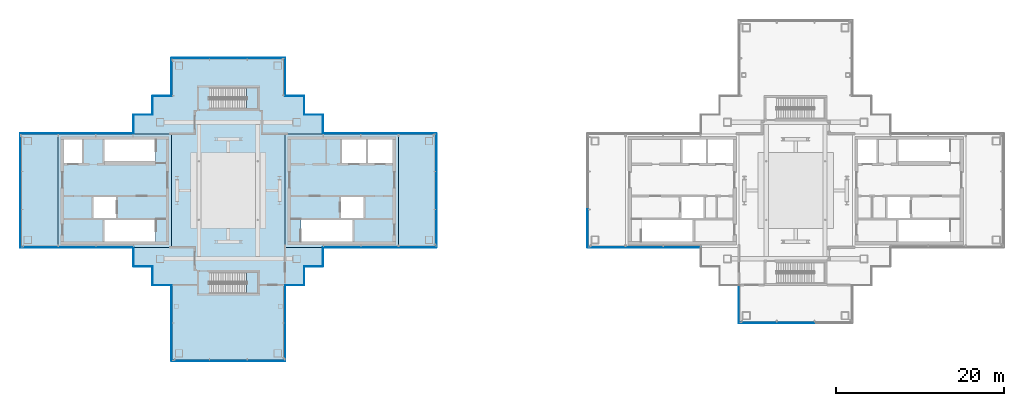
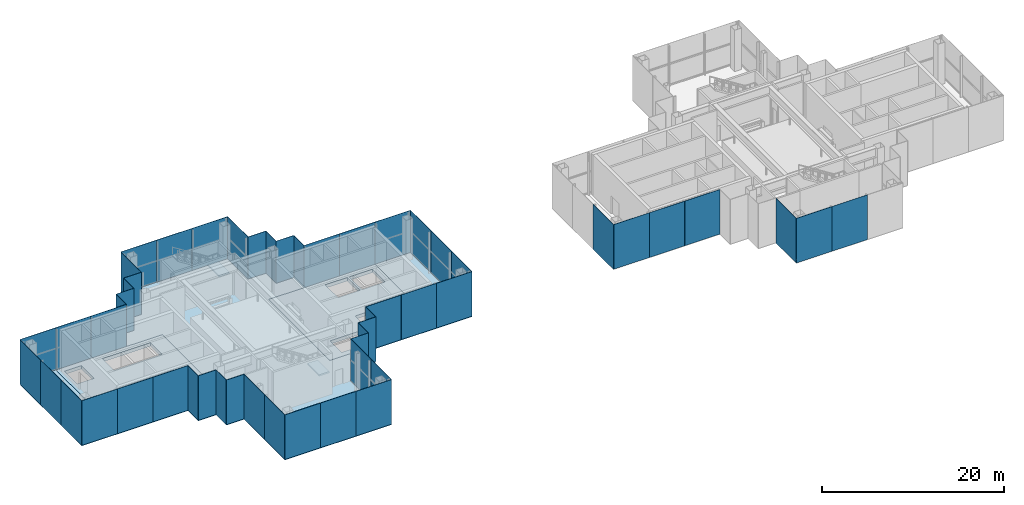
# One storey, part 7 of 17: 53 plates, 7 slabs, 27 elements without a shape of their own.
"""IFC4 building model written with IfcOpenShell, lengths in metres."""

from ifc_helpers import new_model, si_unit, direction, frame, origin, origin_2d, place, context, subcontext, project, spatial, polyline, rectangle, outline, extrude, material, layer, layer_set, type_object, element, aggregate, save


model = new_model("IFC4")

# Units and contexts
model_context = context("Model", 3, precision=1e-05, world=origin(), true_north=direction((0.0, 1.0)))
body_context = subcontext(model_context, "Body", "Model", "MODEL_VIEW")
ifc_project = project(units=[si_unit("LENGTHUNIT", "METRE"), si_unit("AREAUNIT", "SQUARE_METRE"), si_unit("VOLUMEUNIT", "CUBIC_METRE"), si_unit("PLANEANGLEUNIT", "RADIAN"), si_unit("MASSUNIT", "GRAM", prefix="KILO")], contexts=[model_context])

# Site, building, storey
site_placement = place(None, origin())
site = spatial("IfcSite", under=ifc_project, at=site_placement, CompositionType="ELEMENT")
building_placement = place(site_placement, origin())
building = spatial("IfcBuilding", under=site, at=building_placement, Name="Shamsa Quay Exchange Towers", CompositionType="ELEMENT")
storey_placement = place(building_placement, frame((0.0, 0.0, 278.300048828125)))
storey = spatial("IfcBuildingStorey", under=building, at=storey_placement, Name="L67", CompositionType="ELEMENT", Elevation=278.300048828125)

# Slabs
ifc_material_1 = material(Name="Concrete C50/60", Category="concrete")
ifc_layer_1 = layer(ifc_material_1, 0.449951171875)
ifc_layer_set_1 = layer_set([ifc_layer_1], Name="CORE FLOOR 450 C50/60")
slab_type_1 = type_object("IfcSlabType", Name="CORE FLOOR 450 C50/60", PredefinedType="FLOOR", material=ifc_layer_set_1)
slab_1_placement = place(storey_placement, frame((0.0, 0.0, -0.449951171875)))
element("IfcSlab", 1, at=slab_1_placement, inside=storey, type_object=slab_type_1, Name="Core floor T1A", PredefinedType="FLOOR", context=body_context, shape_type="SweptSolid", body=[
    extrude(outline(polyline([(-27.0, -6.75), (-13.5, -6.75), (-13.5, 6.75), (-27.0, 6.75), (-27.0, -6.75)]), holes=[polyline([(-25.099365234375, -6.050048828125), (-25.099365234375, -3.5), (-19.0, -3.5), (-19.0, -6.050048828125), (-25.099365234375, -6.050048828125)]), polyline([(-20.199951171875, 3.25), (-20.199951171875, 6.050048828125), (-17.39990234375, 6.050048828125), (-17.39990234375, 3.25), (-20.199951171875, 3.25)]), polyline([(-17.14990234375, 3.25), (-17.14990234375, 6.050048828125), (-14.199951171875, 6.050048828125), (-14.199951171875, 3.25), (-17.14990234375, 3.25)]), polyline([(-20.35009765625, -3.25), (-20.35009765625, -0.75), (-17.699951171875, -0.75), (-17.699951171875, -3.25), (-20.35009765625, -3.25)])]), origin(), (0.0, 0.0, 1.0), 0.449951171875),
])
slab_2_placement = place(storey_placement, frame((0.0, 0.0, -0.449951171875)))
element("IfcSlab", 2, at=slab_2_placement, inside=storey, type_object=slab_type_1, Name="Core floor T1B", PredefinedType="FLOOR", context=body_context, shape_type="SweptSolid", body=[
    extrude(outline(polyline([(-40.5, -6.75), (-40.5, 6.75), (-54.0, 6.75), (-54.0, -6.75), (-40.5, -6.75)]), holes=[polyline([(-42.400634765625, -3.5), (-42.400634765625, -6.050048828125), (-48.5, -6.050048828125), (-48.5, -3.5), (-42.400634765625, -3.5)]), polyline([(-42.400634765625, 6.050048828125), (-42.400634765625, 3.5), (-48.5, 3.5), (-48.5, 6.050048828125), (-42.400634765625, 6.050048828125)]), polyline([(-51.14990234375, 3.25), (-53.300048828125, 3.25), (-53.300048828125, 6.050048828125), (-51.14990234375, 6.050048828125), (-51.14990234375, 3.25)]), polyline([(-47.14990234375, -3.25), (-49.800048828125, -3.25), (-49.800048828125, -0.75), (-47.14990234375, -0.75), (-47.14990234375, -3.25)])]), origin(), (0.0, 0.0, 1.0), 0.449951171875),
])

# Stair, slab
ifc_material_2 = material(Name="Concrete C40/50", Category="concrete")
stair_type = type_object("IfcStairType", Name="EXIT STAIR 34 RISERS 176 MM", PredefinedType="HALF_TURN_STAIR", material=ifc_material_2)
stair_1_placement = place(storey_placement, origin())
stair_1 = element("IfcStair", 3, at=stair_1_placement, inside=storey, type_object=stair_type, Name="L67 Roof access stair RS1", PredefinedType="HALF_TURN_STAIR")
ifc_layer_2 = layer(ifc_material_2, 0.199951171875)
ifc_layer_set_2 = layer_set([ifc_layer_2], Name="CORE STAIR LANDING")
slab_type_2 = type_object("IfcSlabType", Name="CORE STAIR LANDING", PredefinedType="LANDING", material=ifc_layer_set_2)
slab_3_placement = place(storey_placement, frame((0.0, 0.0, 2.800048828125)))
slab_3 = element("IfcSlab", 4, at=slab_3_placement, type_object=slab_type_2, Name="RS1 landing 1", PredefinedType="LANDING", context=body_context, shape_type="SweptSolid", body=[
    extrude(outline(polyline([(-31.570068359375, 9.699951171875), (-30.25, 9.699951171875), (-30.25, 12.25), (-31.570068359375, 12.25), (-31.570068359375, 9.699951171875)])), origin(), (0.0, 0.0, 1.0), 0.199951171875),
])
aggregate(stair_1, [slab_3])

stair_2_placement = place(storey_placement, origin())
stair_2 = element("IfcStair", 5, at=stair_2_placement, inside=storey, type_object=stair_type, Name="L67 Roof access stair RS2", PredefinedType="HALF_TURN_STAIR")
slab_4_placement = place(storey_placement, frame((0.0, 0.0, 2.800048828125)))
slab_4 = element("IfcSlab", 6, at=slab_4_placement, type_object=slab_type_2, Name="RS2 landing 1", PredefinedType="LANDING", context=body_context, shape_type="SweptSolid", body=[
    extrude(outline(polyline([(-31.570068359375, -12.25), (-30.25, -12.25), (-30.25, -9.699951171875), (-31.570068359375, -9.699951171875), (-31.570068359375, -12.25)])), origin(), (0.0, 0.0, 1.0), 0.199951171875),
])
aggregate(stair_2, [slab_4])

# Curtain wall, plates
ifc_material_3 = material(Name="Aluminium EN AW-6063 T6, black anodised", Category="aluminium")
ifc_layer_3 = layer(ifc_material_3, 0.364013671875)
ifc_layer_set_3 = layer_set([ifc_layer_3], Name="CW-5 LANTERN GLAZING")
curtain_wall_type = type_object("IfcCurtainWallType", Name="CW-5 LANTERN GLAZING", PredefinedType="NOTDEFINED", material=ifc_layer_set_3)
curtain_wall_1_placement = place(storey_placement, origin())
curtain_wall_1 = element("IfcCurtainWall", 7, at=curtain_wall_1_placement, inside=storey, type_object=curtain_wall_type, Name="CW5 T1-FLK-V-W L67", PredefinedType="NOTDEFINED")
ifc_material_4 = material(Name="Glass, laminated, clear low iron", Category="glass")
ifc_layer_4 = layer(ifc_material_4, 0.0439453125)
ifc_layer_set_4 = layer_set([ifc_layer_4], Name="CW-5 LANTERN GLASS 44")
plate_type = type_object("IfcPlateType", Name="CW-5 LANTERN GLASS 44", PredefinedType="CURTAIN_PANEL", material=ifc_layer_set_4)
plate_1_placement = place(storey_placement, frame((-40.52197265625, -13.531982421875, -0.35009765625), z_axis=(0.0, 0.0, 1.0), x_axis=(0.0, -1.0, 0.0)))
plate_1 = element("IfcPlate", 8, at=plate_1_placement, type_object=plate_type, Name="CW5 glass panel", PredefinedType="CURTAIN_PANEL", context=body_context, shape_type="SweptSolid", body=[
    extrude(rectangle(XDim=4.471923828125, YDim=0.0439453125, at=origin_2d()), origin(), (0.0, 0.0, 1.0), 6.0),
])
plate_2_placement = place(storey_placement, frame((-40.52197265625, -18.013916015625, -0.35009765625), z_axis=(0.0, 0.0, 1.0), x_axis=(0.0, -1.0, 0.0)))
plate_2 = element("IfcPlate", 9, at=plate_2_placement, type_object=plate_type, Name="CW5 glass panel", PredefinedType="CURTAIN_PANEL", context=body_context, shape_type="SweptSolid", body=[
    extrude(rectangle(XDim=4.471923828125, YDim=0.0439453125, at=origin_2d()), origin(), (0.0, 0.0, 1.0), 6.0),
])
aggregate(curtain_wall_1, [plate_1, plate_2])

curtain_wall_2_placement = place(storey_placement, origin())
curtain_wall_2 = element("IfcCurtainWall", 10, at=curtain_wall_2_placement, inside=storey, type_object=curtain_wall_type, Name="CW5 T1-END-V- L67", PredefinedType="NOTDEFINED")
plate_3_placement = place(storey_placement, frame((-38.25244140625, -20.27197265625, -0.35009765625)))
plate_3 = element("IfcPlate", 11, at=plate_3_placement, type_object=plate_type, Name="CW5 glass panel", PredefinedType="CURTAIN_PANEL", context=body_context, shape_type="SweptSolid", body=[
    extrude(rectangle(XDim=4.4951171875, YDim=0.0439453125, at=origin_2d()), origin(), (0.0, 0.0, 1.0), 6.0),
])
plate_4_placement = place(storey_placement, frame((-33.75, -20.27197265625, -0.35009765625)))
plate_4 = element("IfcPlate", 12, at=plate_4_placement, type_object=plate_type, Name="CW5 glass panel", PredefinedType="CURTAIN_PANEL", context=body_context, shape_type="SweptSolid", body=[
    extrude(rectangle(XDim=4.489990234375, YDim=0.0439453125, at=origin_2d()), origin(), (0.0, 0.0, 1.0), 6.0),
])
plate_5_placement = place(storey_placement, frame((-29.24755859375, -20.27197265625, -0.35009765625)))
plate_5 = element("IfcPlate", 13, at=plate_5_placement, type_object=plate_type, Name="CW5 glass panel", PredefinedType="CURTAIN_PANEL", context=body_context, shape_type="SweptSolid", body=[
    extrude(rectangle(XDim=4.4951171875, YDim=0.0439453125, at=origin_2d()), origin(), (0.0, 0.0, 1.0), 6.0),
])
aggregate(curtain_wall_2, [plate_3, plate_4, plate_5])

curtain_wall_3_placement = place(storey_placement, origin())
curtain_wall_3 = element("IfcCurtainWall", 14, at=curtain_wall_3_placement, inside=storey, type_object=curtain_wall_type, Name="CW5 T1-FLK-V-E L67", PredefinedType="NOTDEFINED")
plate_6_placement = place(storey_placement, frame((-26.97802734375, -18.00244140625, -0.35009765625), z_axis=(0.0, 0.0, 1.0), x_axis=(0.0, 1.0, 0.0)))
plate_6 = element("IfcPlate", 15, at=plate_6_placement, type_object=plate_type, Name="CW5 glass panel", PredefinedType="CURTAIN_PANEL", context=body_context, shape_type="SweptSolid", body=[
    extrude(rectangle(XDim=4.4951171875, YDim=0.0439453125, at=origin_2d()), origin(), (0.0, 0.0, 1.0), 6.0),
])
plate_7_placement = place(storey_placement, frame((-26.97802734375, -13.49755859375, -0.35009765625), z_axis=(0.0, 0.0, 1.0), x_axis=(0.0, 1.0, 0.0)))
plate_7 = element("IfcPlate", 16, at=plate_7_placement, type_object=plate_type, Name="CW5 glass panel", PredefinedType="CURTAIN_PANEL", context=body_context, shape_type="SweptSolid", body=[
    extrude(rectangle(XDim=4.4951171875, YDim=0.0439453125, at=origin_2d()), origin(), (0.0, 0.0, 1.0), 6.0),
])
aggregate(curtain_wall_3, [plate_6, plate_7])

curtain_wall_4_placement = place(storey_placement, origin())
curtain_wall_4 = element("IfcCurtainWall", 17, at=curtain_wall_4_placement, inside=storey, type_object=curtain_wall_type, Name="CW5 T1-FLK-U+S L67", PredefinedType="NOTDEFINED")
plate_8_placement = place(storey_placement, frame((-20.218017578125, -6.77197265625, -0.35009765625)))
plate_8 = element("IfcPlate", 18, at=plate_8_placement, type_object=plate_type, Name="CW5 glass panel", PredefinedType="CURTAIN_PANEL", context=body_context, shape_type="SweptSolid", body=[
    extrude(rectangle(XDim=4.471923828125, YDim=0.0439453125, at=origin_2d()), origin(), (0.0, 0.0, 1.0), 6.0),
])
plate_9_placement = place(storey_placement, frame((-15.736083984375, -6.77197265625, -0.35009765625)))
plate_9 = element("IfcPlate", 19, at=plate_9_placement, type_object=plate_type, Name="CW5 glass panel", PredefinedType="CURTAIN_PANEL", context=body_context, shape_type="SweptSolid", body=[
    extrude(rectangle(XDim=4.471923828125, YDim=0.0439453125, at=origin_2d()), origin(), (0.0, 0.0, 1.0), 6.0),
])
aggregate(curtain_wall_4, [plate_8, plate_9])

# Curtain wall, plate
curtain_wall_5_placement = place(storey_placement, origin())
curtain_wall_5 = element("IfcCurtainWall", 20, at=curtain_wall_5_placement, inside=storey, type_object=curtain_wall_type, Name="CW5 T1-FLK-U+S L67", PredefinedType="NOTDEFINED")
plate_10_placement = place(storey_placement, frame((-11.25, -6.77197265625, -0.35009765625)))
plate_10 = element("IfcPlate", 21, at=plate_10_placement, type_object=plate_type, Name="CW5 glass panel", PredefinedType="CURTAIN_PANEL", context=body_context, shape_type="SweptSolid", body=[
    extrude(rectangle(XDim=4.5, YDim=0.0439453125, at=origin_2d()), origin(), (0.0, 0.0, 1.0), 6.0),
])
aggregate(curtain_wall_5, [plate_10])

# Curtain wall, plates
curtain_wall_6_placement = place(storey_placement, origin())
curtain_wall_6 = element("IfcCurtainWall", 22, at=curtain_wall_6_placement, inside=storey, type_object=curtain_wall_type, Name="CW5 T1-END-U+ L67", PredefinedType="NOTDEFINED")
plate_11_placement = place(storey_placement, frame((-8.97802734375, -4.50244140625, -0.35009765625), z_axis=(0.0, 0.0, 1.0), x_axis=(0.0, 1.0, 0.0)))
plate_11 = element("IfcPlate", 23, at=plate_11_placement, type_object=plate_type, Name="CW5 glass panel", PredefinedType="CURTAIN_PANEL", context=body_context, shape_type="SweptSolid", body=[
    extrude(rectangle(XDim=4.4951171875, YDim=0.0439453125, at=origin_2d()), origin(), (0.0, 0.0, 1.0), 6.0),
])
plate_12_placement = place(storey_placement, frame((-8.97802734375, 0.0, -0.35009765625), z_axis=(0.0, 0.0, 1.0), x_axis=(0.0, 1.0, 0.0)))
plate_12 = element("IfcPlate", 24, at=plate_12_placement, type_object=plate_type, Name="CW5 glass panel", PredefinedType="CURTAIN_PANEL", context=body_context, shape_type="SweptSolid", body=[
    extrude(rectangle(XDim=4.489990234375, YDim=0.0439453125, at=origin_2d()), origin(), (0.0, 0.0, 1.0), 6.0),
])
plate_13_placement = place(storey_placement, frame((-8.97802734375, 4.50244140625, -0.35009765625), z_axis=(0.0, 0.0, 1.0), x_axis=(0.0, 1.0, 0.0)))
plate_13 = element("IfcPlate", 25, at=plate_13_placement, type_object=plate_type, Name="CW5 glass panel", PredefinedType="CURTAIN_PANEL", context=body_context, shape_type="SweptSolid", body=[
    extrude(rectangle(XDim=4.4951171875, YDim=0.0439453125, at=origin_2d()), origin(), (0.0, 0.0, 1.0), 6.0),
])
aggregate(curtain_wall_6, [plate_11, plate_12, plate_13])

# Curtain wall, plate
curtain_wall_7_placement = place(storey_placement, origin())
curtain_wall_7 = element("IfcCurtainWall", 26, at=curtain_wall_7_placement, inside=storey, type_object=curtain_wall_type, Name="CW5 T1-FLK-U+N L67", PredefinedType="NOTDEFINED")
plate_14_placement = place(storey_placement, frame((-11.25, 6.77197265625, -0.35009765625), z_axis=(0.0, 0.0, 1.0), x_axis=(-1.0, 0.0, 0.0)))
plate_14 = element("IfcPlate", 27, at=plate_14_placement, type_object=plate_type, Name="CW5 glass panel", PredefinedType="CURTAIN_PANEL", context=body_context, shape_type="SweptSolid", body=[
    extrude(rectangle(XDim=4.5, YDim=0.0439453125, at=origin_2d()), origin(), (0.0, 0.0, 1.0), 6.0),
])
aggregate(curtain_wall_7, [plate_14])

# Curtain wall, plates
curtain_wall_8_placement = place(storey_placement, origin())
curtain_wall_8 = element("IfcCurtainWall", 28, at=curtain_wall_8_placement, inside=storey, type_object=curtain_wall_type, Name="CW5 T1-FLK-U+N L67", PredefinedType="NOTDEFINED")
plate_15_placement = place(storey_placement, frame((-15.74755859375, 6.77197265625, -0.35009765625), z_axis=(0.0, 0.0, 1.0), x_axis=(-1.0, 0.0, 0.0)))
plate_15 = element("IfcPlate", 29, at=plate_15_placement, type_object=plate_type, Name="CW5 glass panel", PredefinedType="CURTAIN_PANEL", context=body_context, shape_type="SweptSolid", body=[
    extrude(rectangle(XDim=4.4951171875, YDim=0.0439453125, at=origin_2d()), origin(), (0.0, 0.0, 1.0), 6.0),
])
plate_16_placement = place(storey_placement, frame((-20.25244140625, 6.77197265625, -0.35009765625), z_axis=(0.0, 0.0, 1.0), x_axis=(-1.0, 0.0, 0.0)))
plate_16 = element("IfcPlate", 30, at=plate_16_placement, type_object=plate_type, Name="CW5 glass panel", PredefinedType="CURTAIN_PANEL", context=body_context, shape_type="SweptSolid", body=[
    extrude(rectangle(XDim=4.4951171875, YDim=0.0439453125, at=origin_2d()), origin(), (0.0, 0.0, 1.0), 6.0),
])
aggregate(curtain_wall_8, [plate_15, plate_16])

# Curtain wall, plate
curtain_wall_9_placement = place(storey_placement, origin())
curtain_wall_9 = element("IfcCurtainWall", 31, at=curtain_wall_9_placement, inside=storey, type_object=curtain_wall_type, Name="CW5 T1-FLK-V+E L67", PredefinedType="NOTDEFINED")
plate_17_placement = place(storey_placement, frame((-26.97802734375, 13.52294921875, -0.35009765625), z_axis=(0.0, 0.0, 1.0), x_axis=(0.0, 1.0, 0.0)))
plate_17 = element("IfcPlate", 32, at=plate_17_placement, type_object=plate_type, Name="CW5 glass panel", PredefinedType="CURTAIN_PANEL", context=body_context, shape_type="SweptSolid", body=[
    extrude(rectangle(XDim=4.4541015625, YDim=0.0439453125, at=origin_2d()), origin(), (0.0, 0.0, 1.0), 6.0),
])
aggregate(curtain_wall_9, [plate_17])

# Curtain wall, plates
curtain_wall_10_placement = place(storey_placement, origin())
curtain_wall_10 = element("IfcCurtainWall", 33, at=curtain_wall_10_placement, inside=storey, type_object=curtain_wall_type, Name="CW5 T1-END-V+ L67", PredefinedType="NOTDEFINED")
plate_18_placement = place(storey_placement, frame((-29.24755859375, 15.77197265625, -0.35009765625), z_axis=(0.0, 0.0, 1.0), x_axis=(-1.0, 0.0, 0.0)))
plate_18 = element("IfcPlate", 34, at=plate_18_placement, type_object=plate_type, Name="CW5 glass panel", PredefinedType="CURTAIN_PANEL", context=body_context, shape_type="SweptSolid", body=[
    extrude(rectangle(XDim=4.4951171875, YDim=0.0439453125, at=origin_2d()), origin(), (0.0, 0.0, 1.0), 6.0),
])
plate_19_placement = place(storey_placement, frame((-33.75, 15.77197265625, -0.35009765625), z_axis=(0.0, 0.0, 1.0), x_axis=(-1.0, 0.0, 0.0)))
plate_19 = element("IfcPlate", 35, at=plate_19_placement, type_object=plate_type, Name="CW5 glass panel", PredefinedType="CURTAIN_PANEL", context=body_context, shape_type="SweptSolid", body=[
    extrude(rectangle(XDim=4.489990234375, YDim=0.0439453125, at=origin_2d()), origin(), (0.0, 0.0, 1.0), 6.0),
])
plate_20_placement = place(storey_placement, frame((-38.25244140625, 15.77197265625, -0.35009765625), z_axis=(0.0, 0.0, 1.0), x_axis=(-1.0, 0.0, 0.0)))
plate_20 = element("IfcPlate", 36, at=plate_20_placement, type_object=plate_type, Name="CW5 glass panel", PredefinedType="CURTAIN_PANEL", context=body_context, shape_type="SweptSolid", body=[
    extrude(rectangle(XDim=4.4951171875, YDim=0.0439453125, at=origin_2d()), origin(), (0.0, 0.0, 1.0), 6.0),
])
aggregate(curtain_wall_10, [plate_18, plate_19, plate_20])

# Curtain wall, plate
curtain_wall_11_placement = place(storey_placement, origin())
curtain_wall_11 = element("IfcCurtainWall", 37, at=curtain_wall_11_placement, inside=storey, type_object=curtain_wall_type, Name="CW5 T1-FLK-V+W L67", PredefinedType="NOTDEFINED")
plate_21_placement = place(storey_placement, frame((-40.52197265625, 13.5, -0.35009765625), z_axis=(0.0, 0.0, 1.0), x_axis=(0.0, -1.0, 0.0)))
plate_21 = element("IfcPlate", 38, at=plate_21_placement, type_object=plate_type, Name="CW5 glass panel", PredefinedType="CURTAIN_PANEL", context=body_context, shape_type="SweptSolid", body=[
    extrude(rectangle(XDim=4.5, YDim=0.0439453125, at=origin_2d()), origin(), (0.0, 0.0, 1.0), 6.0),
])
aggregate(curtain_wall_11, [plate_21])

# Curtain wall, plates
curtain_wall_12_placement = place(storey_placement, origin())
curtain_wall_12 = element("IfcCurtainWall", 39, at=curtain_wall_12_placement, inside=storey, type_object=curtain_wall_type, Name="CW5 T1-FLK-U-N L67", PredefinedType="NOTDEFINED")
plate_22_placement = place(storey_placement, frame((-47.281982421875, 6.77197265625, -0.35009765625), z_axis=(0.0, 0.0, 1.0), x_axis=(-1.0, 0.0, 0.0)))
plate_22 = element("IfcPlate", 40, at=plate_22_placement, type_object=plate_type, Name="CW5 glass panel", PredefinedType="CURTAIN_PANEL", context=body_context, shape_type="SweptSolid", body=[
    extrude(rectangle(XDim=4.471923828125, YDim=0.0439453125, at=origin_2d()), origin(), (0.0, 0.0, 1.0), 6.0),
])
plate_23_placement = place(storey_placement, frame((-51.763916015625, 6.77197265625, -0.35009765625), z_axis=(0.0, 0.0, 1.0), x_axis=(-1.0, 0.0, 0.0)))
plate_23 = element("IfcPlate", 41, at=plate_23_placement, type_object=plate_type, Name="CW5 glass panel", PredefinedType="CURTAIN_PANEL", context=body_context, shape_type="SweptSolid", body=[
    extrude(rectangle(XDim=4.471923828125, YDim=0.0439453125, at=origin_2d()), origin(), (0.0, 0.0, 1.0), 6.0),
])
aggregate(curtain_wall_12, [plate_22, plate_23])

# Curtain wall, plate
curtain_wall_13_placement = place(storey_placement, origin())
curtain_wall_13 = element("IfcCurtainWall", 42, at=curtain_wall_13_placement, inside=storey, type_object=curtain_wall_type, Name="CW5 T1-FLK-U-N L67", PredefinedType="NOTDEFINED")
plate_24_placement = place(storey_placement, frame((-56.25, 6.77197265625, -0.35009765625), z_axis=(0.0, 0.0, 1.0), x_axis=(-1.0, 0.0, 0.0)))
plate_24 = element("IfcPlate", 43, at=plate_24_placement, type_object=plate_type, Name="CW5 glass panel", PredefinedType="CURTAIN_PANEL", context=body_context, shape_type="SweptSolid", body=[
    extrude(rectangle(XDim=4.5, YDim=0.0439453125, at=origin_2d()), origin(), (0.0, 0.0, 1.0), 6.0),
])
aggregate(curtain_wall_13, [plate_24])

# Curtain wall, plates
curtain_wall_14_placement = place(storey_placement, origin())
curtain_wall_14 = element("IfcCurtainWall", 44, at=curtain_wall_14_placement, inside=storey, type_object=curtain_wall_type, Name="CW5 T1-END-U- L67", PredefinedType="NOTDEFINED")
plate_25_placement = place(storey_placement, frame((-58.52197265625, 4.50244140625, -0.35009765625), z_axis=(0.0, 0.0, 1.0), x_axis=(0.0, -1.0, 0.0)))
plate_25 = element("IfcPlate", 45, at=plate_25_placement, type_object=plate_type, Name="CW5 glass panel", PredefinedType="CURTAIN_PANEL", context=body_context, shape_type="SweptSolid", body=[
    extrude(rectangle(XDim=4.4951171875, YDim=0.0439453125, at=origin_2d()), origin(), (0.0, 0.0, 1.0), 6.0),
])
plate_26_placement = place(storey_placement, frame((-58.52197265625, 0.0, -0.35009765625), z_axis=(0.0, 0.0, 1.0), x_axis=(0.0, -1.0, 0.0)))
plate_26 = element("IfcPlate", 46, at=plate_26_placement, type_object=plate_type, Name="CW5 glass panel", PredefinedType="CURTAIN_PANEL", context=body_context, shape_type="SweptSolid", body=[
    extrude(rectangle(XDim=4.489990234375, YDim=0.0439453125, at=origin_2d()), origin(), (0.0, 0.0, 1.0), 6.0),
])
plate_27_placement = place(storey_placement, frame((-58.52197265625, -4.50244140625, -0.35009765625), z_axis=(0.0, 0.0, 1.0), x_axis=(0.0, -1.0, 0.0)))
plate_27 = element("IfcPlate", 47, at=plate_27_placement, type_object=plate_type, Name="CW5 glass panel", PredefinedType="CURTAIN_PANEL", context=body_context, shape_type="SweptSolid", body=[
    extrude(rectangle(XDim=4.4951171875, YDim=0.0439453125, at=origin_2d()), origin(), (0.0, 0.0, 1.0), 6.0),
])
aggregate(curtain_wall_14, [plate_25, plate_26, plate_27])

# Curtain wall, plate
curtain_wall_15_placement = place(storey_placement, origin())
curtain_wall_15 = element("IfcCurtainWall", 48, at=curtain_wall_15_placement, inside=storey, type_object=curtain_wall_type, Name="CW5 T1-FLK-U-S L67", PredefinedType="NOTDEFINED")
plate_28_placement = place(storey_placement, frame((-56.25, -6.77197265625, -0.35009765625)))
plate_28 = element("IfcPlate", 49, at=plate_28_placement, type_object=plate_type, Name="CW5 glass panel", PredefinedType="CURTAIN_PANEL", context=body_context, shape_type="SweptSolid", body=[
    extrude(rectangle(XDim=4.5, YDim=0.0439453125, at=origin_2d()), origin(), (0.0, 0.0, 1.0), 6.0),
])
aggregate(curtain_wall_15, [plate_28])

# Curtain wall, plates
curtain_wall_16_placement = place(storey_placement, origin())
curtain_wall_16 = element("IfcCurtainWall", 50, at=curtain_wall_16_placement, inside=storey, type_object=curtain_wall_type, Name="CW5 T1-FLK-U-S L67", PredefinedType="NOTDEFINED")
plate_29_placement = place(storey_placement, frame((-51.75244140625, -6.77197265625, -0.35009765625)))
plate_29 = element("IfcPlate", 51, at=plate_29_placement, type_object=plate_type, Name="CW5 glass panel", PredefinedType="CURTAIN_PANEL", context=body_context, shape_type="SweptSolid", body=[
    extrude(rectangle(XDim=4.4951171875, YDim=0.0439453125, at=origin_2d()), origin(), (0.0, 0.0, 1.0), 6.0),
])
plate_30_placement = place(storey_placement, frame((-47.24755859375, -6.77197265625, -0.35009765625)))
plate_30 = element("IfcPlate", 52, at=plate_30_placement, type_object=plate_type, Name="CW5 glass panel", PredefinedType="CURTAIN_PANEL", context=body_context, shape_type="SweptSolid", body=[
    extrude(rectangle(XDim=4.4951171875, YDim=0.0439453125, at=origin_2d()), origin(), (0.0, 0.0, 1.0), 6.0),
])
aggregate(curtain_wall_16, [plate_29, plate_30])

curtain_wall_17_placement = place(storey_placement, origin())
curtain_wall_17 = element("IfcCurtainWall", 53, at=curtain_wall_17_placement, inside=storey, type_object=curtain_wall_type, Name="CW5 PKWS L67", PredefinedType="NOTDEFINED")
plate_31_placement = place(storey_placement, frame((-42.77197265625, -10.14794921875, -0.35009765625), z_axis=(0.0, 0.0, 1.0), x_axis=(0.0, -1.0, 0.0)))
plate_31 = element("IfcPlate", 54, at=plate_31_placement, type_object=plate_type, Name="CW5 glass panel", PredefinedType="CURTAIN_PANEL", context=body_context, shape_type="SweptSolid", body=[
    extrude(rectangle(XDim=2.2041015625, YDim=0.0439453125, at=origin_2d()), origin(), (0.0, 0.0, 1.0), 6.0),
])
plate_32_placement = place(storey_placement, frame((-41.625, -11.27197265625, -0.35009765625)))
plate_32 = element("IfcPlate", 55, at=plate_32_placement, type_object=plate_type, Name="CW5 glass panel", PredefinedType="CURTAIN_PANEL", context=body_context, shape_type="SweptSolid", body=[
    extrude(rectangle(XDim=2.25, YDim=0.0439453125, at=origin_2d()), origin(), (0.0, 0.0, 1.0), 6.0),
])
plate_33_placement = place(storey_placement, frame((-45.02197265625, -7.89794921875, -0.35009765625), z_axis=(0.0, 0.0, 1.0), x_axis=(0.0, -1.0, 0.0)))
plate_33 = element("IfcPlate", 56, at=plate_33_placement, type_object=plate_type, Name="CW5 glass panel", PredefinedType="CURTAIN_PANEL", context=body_context, shape_type="SweptSolid", body=[
    extrude(rectangle(XDim=2.2041015625, YDim=0.0439453125, at=origin_2d()), origin(), (0.0, 0.0, 1.0), 6.0),
])
plate_34_placement = place(storey_placement, frame((-43.875, -9.02197265625, -0.35009765625)))
plate_34 = element("IfcPlate", 57, at=plate_34_placement, type_object=plate_type, Name="CW5 glass panel", PredefinedType="CURTAIN_PANEL", context=body_context, shape_type="SweptSolid", body=[
    extrude(rectangle(XDim=2.25, YDim=0.0439453125, at=origin_2d()), origin(), (0.0, 0.0, 1.0), 6.0),
])
aggregate(curtain_wall_17, [plate_31, plate_32, plate_33, plate_34])

curtain_wall_18_placement = place(storey_placement, origin())
curtain_wall_18 = element("IfcCurtainWall", 58, at=curtain_wall_18_placement, inside=storey, type_object=curtain_wall_type, Name="CW5 PKES L67", PredefinedType="NOTDEFINED")
plate_35_placement = place(storey_placement, frame((-25.85205078125, -11.27197265625, -0.35009765625)))
plate_35 = element("IfcPlate", 59, at=plate_35_placement, type_object=plate_type, Name="CW5 glass panel", PredefinedType="CURTAIN_PANEL", context=body_context, shape_type="SweptSolid", body=[
    extrude(rectangle(XDim=2.2041015625, YDim=0.0439453125, at=origin_2d()), origin(), (0.0, 0.0, 1.0), 6.0),
])
plate_36_placement = place(storey_placement, frame((-24.72802734375, -10.125, -0.35009765625), z_axis=(0.0, 0.0, 1.0), x_axis=(0.0, 1.0, 0.0)))
plate_36 = element("IfcPlate", 60, at=plate_36_placement, type_object=plate_type, Name="CW5 glass panel", PredefinedType="CURTAIN_PANEL", context=body_context, shape_type="SweptSolid", body=[
    extrude(rectangle(XDim=2.25, YDim=0.0439453125, at=origin_2d()), origin(), (0.0, 0.0, 1.0), 6.0),
])
plate_37_placement = place(storey_placement, frame((-23.60205078125, -9.02197265625, -0.35009765625)))
plate_37 = element("IfcPlate", 61, at=plate_37_placement, type_object=plate_type, Name="CW5 glass panel", PredefinedType="CURTAIN_PANEL", context=body_context, shape_type="SweptSolid", body=[
    extrude(rectangle(XDim=2.2041015625, YDim=0.0439453125, at=origin_2d()), origin(), (0.0, 0.0, 1.0), 6.0),
])
plate_38_placement = place(storey_placement, frame((-22.47802734375, -7.875, -0.35009765625), z_axis=(0.0, 0.0, 1.0), x_axis=(0.0, 1.0, 0.0)))
plate_38 = element("IfcPlate", 62, at=plate_38_placement, type_object=plate_type, Name="CW5 glass panel", PredefinedType="CURTAIN_PANEL", context=body_context, shape_type="SweptSolid", body=[
    extrude(rectangle(XDim=2.25, YDim=0.0439453125, at=origin_2d()), origin(), (0.0, 0.0, 1.0), 6.0),
])
aggregate(curtain_wall_18, [plate_35, plate_36, plate_37, plate_38])

curtain_wall_19_placement = place(storey_placement, origin())
curtain_wall_19 = element("IfcCurtainWall", 63, at=curtain_wall_19_placement, inside=storey, type_object=curtain_wall_type, Name="CW5 PKEN L67", PredefinedType="NOTDEFINED")
plate_39_placement = place(storey_placement, frame((-22.47802734375, 7.89794921875, -0.35009765625), z_axis=(0.0, 0.0, 1.0), x_axis=(0.0, 1.0, 0.0)))
plate_39 = element("IfcPlate", 64, at=plate_39_placement, type_object=plate_type, Name="CW5 glass panel", PredefinedType="CURTAIN_PANEL", context=body_context, shape_type="SweptSolid", body=[
    extrude(rectangle(XDim=2.2041015625, YDim=0.0439453125, at=origin_2d()), origin(), (0.0, 0.0, 1.0), 6.0),
])
plate_40_placement = place(storey_placement, frame((-23.625, 9.02197265625, -0.35009765625), z_axis=(0.0, 0.0, 1.0), x_axis=(-1.0, 0.0, 0.0)))
plate_40 = element("IfcPlate", 65, at=plate_40_placement, type_object=plate_type, Name="CW5 glass panel", PredefinedType="CURTAIN_PANEL", context=body_context, shape_type="SweptSolid", body=[
    extrude(rectangle(XDim=2.25, YDim=0.0439453125, at=origin_2d()), origin(), (0.0, 0.0, 1.0), 6.0),
])
plate_41_placement = place(storey_placement, frame((-24.72802734375, 10.14794921875, -0.35009765625), z_axis=(0.0, 0.0, 1.0), x_axis=(0.0, 1.0, 0.0)))
plate_41 = element("IfcPlate", 66, at=plate_41_placement, type_object=plate_type, Name="CW5 glass panel", PredefinedType="CURTAIN_PANEL", context=body_context, shape_type="SweptSolid", body=[
    extrude(rectangle(XDim=2.2041015625, YDim=0.0439453125, at=origin_2d()), origin(), (0.0, 0.0, 1.0), 6.0),
])
plate_42_placement = place(storey_placement, frame((-25.875, 11.27197265625, -0.35009765625), z_axis=(0.0, 0.0, 1.0), x_axis=(-1.0, 0.0, 0.0)))
plate_42 = element("IfcPlate", 67, at=plate_42_placement, type_object=plate_type, Name="CW5 glass panel", PredefinedType="CURTAIN_PANEL", context=body_context, shape_type="SweptSolid", body=[
    extrude(rectangle(XDim=2.25, YDim=0.0439453125, at=origin_2d()), origin(), (0.0, 0.0, 1.0), 6.0),
])
aggregate(curtain_wall_19, [plate_39, plate_40, plate_41, plate_42])

curtain_wall_20_placement = place(storey_placement, origin())
curtain_wall_20 = element("IfcCurtainWall", 68, at=curtain_wall_20_placement, inside=storey, type_object=curtain_wall_type, Name="CW5 PKWN L67", PredefinedType="NOTDEFINED")
plate_43_placement = place(storey_placement, frame((-41.64794921875, 11.27197265625, -0.35009765625), z_axis=(0.0, 0.0, 1.0), x_axis=(-1.0, 0.0, 0.0)))
plate_43 = element("IfcPlate", 69, at=plate_43_placement, type_object=plate_type, Name="CW5 glass panel", PredefinedType="CURTAIN_PANEL", context=body_context, shape_type="SweptSolid", body=[
    extrude(rectangle(XDim=2.2041015625, YDim=0.0439453125, at=origin_2d()), origin(), (0.0, 0.0, 1.0), 6.0),
])
plate_44_placement = place(storey_placement, frame((-42.77197265625, 10.125, -0.35009765625), z_axis=(0.0, 0.0, 1.0), x_axis=(0.0, -1.0, 0.0)))
plate_44 = element("IfcPlate", 70, at=plate_44_placement, type_object=plate_type, Name="CW5 glass panel", PredefinedType="CURTAIN_PANEL", context=body_context, shape_type="SweptSolid", body=[
    extrude(rectangle(XDim=2.25, YDim=0.0439453125, at=origin_2d()), origin(), (0.0, 0.0, 1.0), 6.0),
])
plate_45_placement = place(storey_placement, frame((-43.89794921875, 9.02197265625, -0.35009765625), z_axis=(0.0, 0.0, 1.0), x_axis=(-1.0, 0.0, 0.0)))
plate_45 = element("IfcPlate", 71, at=plate_45_placement, type_object=plate_type, Name="CW5 glass panel", PredefinedType="CURTAIN_PANEL", context=body_context, shape_type="SweptSolid", body=[
    extrude(rectangle(XDim=2.2041015625, YDim=0.0439453125, at=origin_2d()), origin(), (0.0, 0.0, 1.0), 6.0),
])
plate_46_placement = place(storey_placement, frame((-45.02197265625, 7.875, -0.35009765625), z_axis=(0.0, 0.0, 1.0), x_axis=(0.0, -1.0, 0.0)))
plate_46 = element("IfcPlate", 72, at=plate_46_placement, type_object=plate_type, Name="CW5 glass panel", PredefinedType="CURTAIN_PANEL", context=body_context, shape_type="SweptSolid", body=[
    extrude(rectangle(XDim=2.25, YDim=0.0439453125, at=origin_2d()), origin(), (0.0, 0.0, 1.0), 6.0),
])
aggregate(curtain_wall_20, [plate_43, plate_44, plate_45, plate_46])

# Curtain wall, plate
curtain_wall_21_placement = place(storey_placement, origin())
curtain_wall_21 = element("IfcCurtainWall", 73, at=curtain_wall_21_placement, inside=storey, type_object=curtain_wall_type, Name="CW5 T2-END-V+ L67", PredefinedType="NOTDEFINED")
plate_47_placement = place(storey_placement, frame((8.97802734375, -4.50244140625, -0.35009765625), z_axis=(0.0, 0.0, 1.0), x_axis=(0.0, -1.0, 0.0)))
plate_47 = element("IfcPlate", 74, at=plate_47_placement, type_object=plate_type, Name="CW5 glass panel", PredefinedType="CURTAIN_PANEL", context=body_context, shape_type="SweptSolid", body=[
    extrude(rectangle(XDim=4.4951171875, YDim=0.0439453125, at=origin_2d()), origin(), (0.0, 0.0, 1.0), 6.0),
])
aggregate(curtain_wall_21, [plate_47])

curtain_wall_22_placement = place(storey_placement, origin())
curtain_wall_22 = element("IfcCurtainWall", 75, at=curtain_wall_22_placement, inside=storey, type_object=curtain_wall_type, Name="CW5 T2-FLK-V+W L67", PredefinedType="NOTDEFINED")
plate_48_placement = place(storey_placement, frame((11.25, -6.77197265625, -0.35009765625)))
plate_48 = element("IfcPlate", 76, at=plate_48_placement, type_object=plate_type, Name="CW5 glass panel", PredefinedType="CURTAIN_PANEL", context=body_context, shape_type="SweptSolid", body=[
    extrude(rectangle(XDim=4.5, YDim=0.0439453125, at=origin_2d()), origin(), (0.0, 0.0, 1.0), 6.0),
])
aggregate(curtain_wall_22, [plate_48])

# Curtain wall, plates
curtain_wall_23_placement = place(storey_placement, origin())
curtain_wall_23 = element("IfcCurtainWall", 77, at=curtain_wall_23_placement, inside=storey, type_object=curtain_wall_type, Name="CW5 T2-FLK-V+W L67", PredefinedType="NOTDEFINED")
plate_49_placement = place(storey_placement, frame((15.74755859375, -6.77197265625, -0.35009765625)))
plate_49 = element("IfcPlate", 78, at=plate_49_placement, type_object=plate_type, Name="CW5 glass panel", PredefinedType="CURTAIN_PANEL", context=body_context, shape_type="SweptSolid", body=[
    extrude(rectangle(XDim=4.4951171875, YDim=0.0439453125, at=origin_2d()), origin(), (0.0, 0.0, 1.0), 6.0),
])
plate_50_placement = place(storey_placement, frame((20.25244140625, -6.77197265625, -0.35009765625)))
plate_50 = element("IfcPlate", 79, at=plate_50_placement, type_object=plate_type, Name="CW5 glass panel", PredefinedType="CURTAIN_PANEL", context=body_context, shape_type="SweptSolid", body=[
    extrude(rectangle(XDim=4.4951171875, YDim=0.0439453125, at=origin_2d()), origin(), (0.0, 0.0, 1.0), 6.0),
])
aggregate(curtain_wall_23, [plate_49, plate_50])

# Curtain wall, plate
curtain_wall_24_placement = place(storey_placement, origin())
curtain_wall_24 = element("IfcCurtainWall", 80, at=curtain_wall_24_placement, inside=storey, type_object=curtain_wall_type, Name="CW5 T2-FLK-U-N L67", PredefinedType="NOTDEFINED")
plate_51_placement = place(storey_placement, frame((26.97802734375, -13.52294921875, -0.35009765625), z_axis=(0.0, 0.0, 1.0), x_axis=(0.0, -1.0, 0.0)))
plate_51 = element("IfcPlate", 81, at=plate_51_placement, type_object=plate_type, Name="CW5 glass panel", PredefinedType="CURTAIN_PANEL", context=body_context, shape_type="SweptSolid", body=[
    extrude(rectangle(XDim=4.4541015625, YDim=0.0439453125, at=origin_2d()), origin(), (0.0, 0.0, 1.0), 6.0),
])
aggregate(curtain_wall_24, [plate_51])

# Curtain wall, plates
curtain_wall_25_placement = place(storey_placement, origin())
curtain_wall_25 = element("IfcCurtainWall", 82, at=curtain_wall_25_placement, inside=storey, type_object=curtain_wall_type, Name="CW5 T2-END-U- L67", PredefinedType="NOTDEFINED")
plate_52_placement = place(storey_placement, frame((29.24755859375, -15.77197265625, -0.35009765625)))
plate_52 = element("IfcPlate", 83, at=plate_52_placement, type_object=plate_type, Name="CW5 glass panel", PredefinedType="CURTAIN_PANEL", context=body_context, shape_type="SweptSolid", body=[
    extrude(rectangle(XDim=4.4951171875, YDim=0.0439453125, at=origin_2d()), origin(), (0.0, 0.0, 1.0), 6.0),
])
plate_53_placement = place(storey_placement, frame((33.75, -15.77197265625, -0.35009765625)))
plate_53 = element("IfcPlate", 84, at=plate_53_placement, type_object=plate_type, Name="CW5 glass panel", PredefinedType="CURTAIN_PANEL", context=body_context, shape_type="SweptSolid", body=[
    extrude(rectangle(XDim=4.489990234375, YDim=0.0439453125, at=origin_2d()), origin(), (0.0, 0.0, 1.0), 6.0),
])
aggregate(curtain_wall_25, [plate_52, plate_53])

# Slabs
ifc_layer_5 = layer(ifc_material_2, 0.449951171875)
ifc_layer_set_5 = layer_set([ifc_layer_5], Name="Flat slab 450")
slab_type_3 = type_object("IfcSlabType", Name="Flat slab 450", PredefinedType="FLOOR", material=ifc_layer_set_5)
slab_5_placement = place(storey_placement, frame((0.0, 0.0, -0.449951171875)))
element("IfcSlab", 85, at=slab_5_placement, inside=storey, type_object=slab_type_3, Name="Flat slab T1 L67 1", PredefinedType="FLOOR", context=body_context, shape_type="SweptSolid", body=[
    extrude(outline(polyline([(-58.5, -6.75), (-54.0, -6.75), (-54.0, 6.75), (-58.5, 6.75), (-58.5, -6.75)])), origin(), (0.0, 0.0, 1.0), 0.449951171875),
])
slab_6_placement = place(storey_placement, frame((0.0, 0.0, -0.449951171875)))
element("IfcSlab", 86, at=slab_6_placement, inside=storey, type_object=slab_type_3, Name="Flat slab T1 L67 2", PredefinedType="FLOOR", context=body_context, shape_type="SweptSolid", body=[
    extrude(outline(polyline([(-22.5, -9.0), (-22.5, -6.75), (-27.0, -6.75), (-27.0, 6.75), (-22.5, 6.75), (-22.5, 9.0), (-24.75, 9.0), (-24.75, 11.25), (-27.0, 11.25), (-27.0, 15.75), (-40.5, 15.75), (-40.5, 11.25), (-42.75, 11.25), (-42.75, 9.0), (-45.0, 9.0), (-45.0, 6.75), (-40.5, 6.75), (-40.5, -6.75), (-45.0, -6.75), (-45.0, -9.0), (-42.75, -9.0), (-42.75, -11.25), (-40.5, -11.25), (-40.5, -20.25), (-27.0, -20.25), (-27.0, -11.25), (-24.75, -11.25), (-24.75, -9.0), (-22.5, -9.0)])), origin(), (0.0, 0.0, 1.0), 0.449951171875),
])
slab_7_placement = place(storey_placement, frame((0.0, 0.0, -0.449951171875)))
element("IfcSlab", 87, at=slab_7_placement, inside=storey, type_object=slab_type_3, Name="Flat slab T1 L67 3", PredefinedType="FLOOR", context=body_context, shape_type="SweptSolid", body=[
    extrude(outline(polyline([(-9.0, 6.75), (-13.5, 6.75), (-13.5, -6.75), (-9.0, -6.75), (-9.0, 6.75)])), origin(), (0.0, 0.0, 1.0), 0.449951171875),
])

save(model, "model.ifc")
